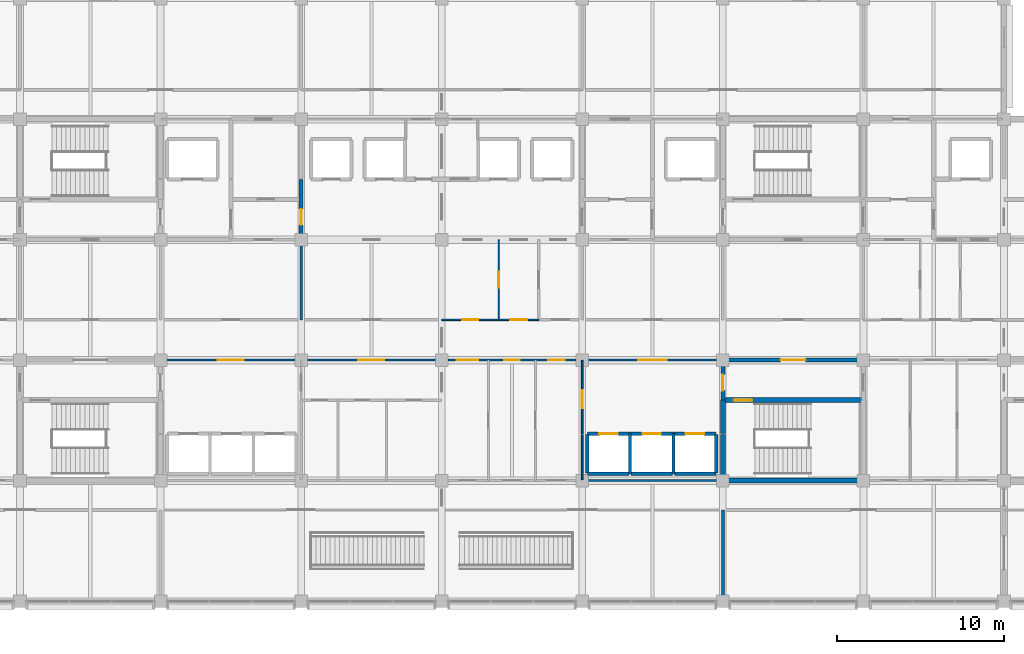
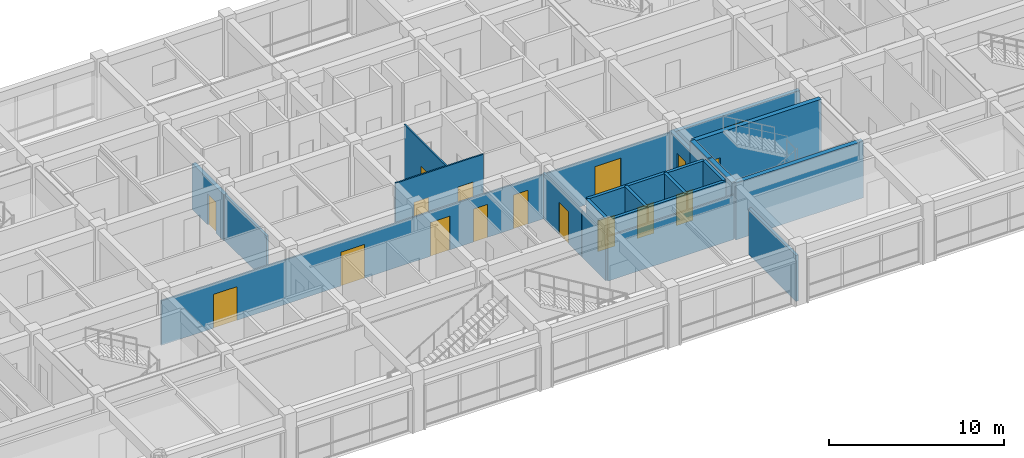
# One storey, part 18 of 27: 23 walls, 17 doors, 17 openings.
"""IFC4 building model written with IfcOpenShell, lengths in metres."""

import ifcopenshell
import ifcopenshell.guid

model = None  # the IFC model being written
_history = None  # IfcOwnerHistory: only IFC2X3 demands one
_inside = {}  # id of a spatial element -> (the spatial element, [elements in it])
_under = {}  # id of a project, library or spatial element -> (it, [spatial elements below it])
_declared = {}  # id of a project -> (the project, [libraries it declares])
_typed = {}  # id of a type object -> (the type object, [elements of that type])
_made_of = {}  # id of a material, layer set ... -> (it, [elements and type objects made of it])


def new_model(schema):
    """Start an empty IFC model of exactly this schema.

    Asked for "IFC4X3", IfcOpenShell would pick the latest addendum, in which some entities
    have other attributes; the version numbers below select the first issue.
    IFC2X3 requires an IfcOwnerHistory on every rooted entity: one is made here for all.
    """
    global model, _history
    if schema == "IFC4X3":
        model = ifcopenshell.file(schema_version=(4, 3, 0, 0))
    else:
        model = ifcopenshell.file(schema=schema)
    _inside.clear()
    _under.clear()
    _declared.clear()
    _typed.clear()
    _made_of.clear()
    _history = None
    if model.schema == "IFC2X3":
        org = make("IfcOrganization", Name="unknown")
        user = make(
            "IfcPersonAndOrganization",
            ThePerson=make("IfcPerson", FamilyName="unknown"),
            TheOrganization=org,
        )
        app = make(
            "IfcApplication",
            ApplicationDeveloper=org,
            Version="unknown",
            ApplicationFullName="unknown",
            ApplicationIdentifier="unknown",
        )
        _history = make(
            "IfcOwnerHistory",
            OwningUser=user,
            OwningApplication=app,
            ChangeAction="ADDED",
            CreationDate=0,
        )
    return model


def make(cls, **values):
    """One entity of the class cls with the attributes given. An attribute that is None is left unset."""
    return model.create_entity(
        cls, **{name: value for name, value in values.items() if value is not None}
    )


def rooted(cls, **values):
    """An entity with a GlobalId (a new one), such as an element, a storey or a relation."""
    return make(cls, GlobalId=ifcopenshell.guid.new(), OwnerHistory=_history, **values)


def si_unit(unit_type, name, prefix=None):
    """IfcSIUnit, for example si_unit("LENGTHUNIT", "METRE", prefix="MILLI")."""
    return make("IfcSIUnit", UnitType=unit_type, Prefix=prefix, Name=name)


def assignment(units):
    """IfcUnitAssignment: the units of a project."""
    return None if units is None else make("IfcUnitAssignment", Units=units)


def point(xyz):
    """IfcCartesianPoint."""
    return None if xyz is None else make("IfcCartesianPoint", Coordinates=xyz)


def direction(xyz):
    """IfcDirection."""
    return None if xyz is None else make("IfcDirection", DirectionRatios=xyz)


def frame(location, z_axis=None, x_axis=None):
    """IfcAxis2Placement3D, a coordinate frame: its origin and axes. An axis left out is left unset."""
    return make(
        "IfcAxis2Placement3D",
        Location=point(location),
        Axis=direction(z_axis),
        RefDirection=direction(x_axis),
    )


def frame_2d(location, x_axis=None):
    """IfcAxis2Placement2D, a coordinate frame in the plane: its origin and x axis."""
    return make(
        "IfcAxis2Placement2D", Location=point(location), RefDirection=direction(x_axis)
    )


def origin():
    """The frame at (0, 0, 0) with its axes left unset."""
    return frame((0.0, 0.0, 0.0))


def place(relative_to, where):
    """IfcLocalPlacement: puts the frame where relative to a parent placement (None: the world)."""
    return make(
        "IfcLocalPlacement", PlacementRelTo=relative_to, RelativePlacement=where
    )


def context(
    kind, dimensions, precision=None, world=None, true_north=None, identifier=None
):
    """IfcGeometricRepresentationContext, for example the 3D "Model" context."""
    return make(
        "IfcGeometricRepresentationContext",
        ContextIdentifier=identifier,
        ContextType=kind,
        CoordinateSpaceDimension=dimensions,
        Precision=precision,
        WorldCoordinateSystem=world,
        TrueNorth=true_north,
    )


def subcontext(parent, identifier, kind, view, scale=None):
    """IfcGeometricRepresentationSubContext, for example "Body" below "Model"."""
    return make(
        "IfcGeometricRepresentationSubContext",
        ContextIdentifier=identifier,
        ContextType=kind,
        ParentContext=parent,
        TargetScale=scale,
        TargetView=view,
    )


def project(units=None, contexts=None):
    """IfcProject with its units and contexts."""
    return rooted(
        "IfcProject",
        Name="project",
        RepresentationContexts=contexts,
        UnitsInContext=assignment(units),
    )


def spatial(cls, under=None, at=None, **own):
    """A site, building, storey or space (cls), placed at a placement, below another one or the project."""
    s = rooted(cls, ObjectPlacement=at, **own)
    if under is not None:
        _under.setdefault(under.id(), (under, []))[1].append(s)
    return s


def profile(cls, at=None, kind="AREA", **sizes):
    """A parametric profile (cls). Its sizes go by their IFC names, for example OverallWidth=200.0."""
    return make(cls, ProfileType=kind, Position=at, **sizes)


def rectangle(**sizes):
    """IfcRectangleProfileDef."""
    return profile("IfcRectangleProfileDef", **sizes)


def extrude(swept, where, along, depth):
    """IfcExtrudedAreaSolid: the profile swept, set in the frame where, extruded along a direction by depth."""
    return make(
        "IfcExtrudedAreaSolid",
        SweptArea=swept,
        Position=where,
        ExtrudedDirection=direction(along),
        Depth=depth,
    )


def shape(context_of_items, identifier, shape_type, items):
    """IfcShapeRepresentation: the items that make up one representation, for example the "Body"."""
    return make(
        "IfcShapeRepresentation",
        ContextOfItems=context_of_items,
        RepresentationIdentifier=identifier,
        RepresentationType=shape_type,
        Items=items,
    )


def material(Name=None, Category=None):
    """IfcMaterial."""
    return make("IfcMaterial", Name=Name, Category=Category)


def layer(
    of_material, thickness, ventilated=None, Name=None, Category=None, Priority=None
):
    """IfcMaterialLayer: one layer of a wall or slab, of a material (None: an air gap)."""
    return make(
        "IfcMaterialLayer",
        Material=of_material,
        LayerThickness=thickness,
        IsVentilated=ventilated,
        Name=Name,
        Category=Category,
        Priority=Priority,
    )


def layer_set(layers, Name=None):
    """IfcMaterialLayerSet."""
    return make("IfcMaterialLayerSet", MaterialLayers=layers, LayerSetName=Name)


def made_of(thing, what):
    """Note that an element or type object is made of a material, layer set ...; save() writes the relation."""
    if what is not None:
        _made_of.setdefault(what.id(), (what, []))[1].append(thing)
    return thing


def type_object(cls, material=None, **own):
    """A type object (cls), such as IfcWallType, which elements share."""
    return made_of(rooted(cls, **own), material)


def element(
    cls,
    number,
    at=None,
    inside=None,
    cuts=None,
    type_object=None,
    material=None,
    context=None,
    identifier="Body",
    shape_type=None,
    held_by="IfcProductDefinitionShape",
    body=None,
    shapes=None,
    **own,
):
    """One element of the class cls, such as IfcWall. Its Tag is "e" and its number.

    at: its placement. inside: the storey or other place that contains it. cuts: it is an
    opening in that element (IfcRelVoidsElement). A single representation is given by context,
    identifier, shape_type and body (its items); several are given by shapes. held_by: the class
    of the entity that holds the representations. save() writes the other relations.
    """
    e = rooted(cls, Tag="e%d" % number, ObjectPlacement=at, **own)
    if body is not None:
        shapes = [shape(context, identifier, shape_type, body)]
    if shapes is not None:
        e.Representation = make(held_by, Representations=shapes)
    if inside is not None:
        _inside.setdefault(inside.id(), (inside, []))[1].append(e)
    if cuts is not None:
        rooted(
            "IfcRelVoidsElement", RelatingBuildingElement=cuts, RelatedOpeningElement=e
        )
    if type_object is not None:
        _typed.setdefault(type_object.id(), (type_object, []))[1].append(e)
    return made_of(e, material)


def fill(opening, filler):
    """IfcRelFillsElement: the door or window that sits in an opening."""
    return rooted(
        "IfcRelFillsElement",
        RelatingOpeningElement=opening,
        RelatedBuildingElement=filler,
    )


def aggregate(whole, parts):
    """IfcRelAggregates: a whole, such as a stair, and the parts it consists of."""
    return rooted("IfcRelAggregates", RelatingObject=whole, RelatedObjects=parts)


def save(model, path):
    """Write the relations noted so far, then the file.

    IfcRelAggregates (storeys below a building ...), IfcRelContainedInSpatialStructure (elements
    in a storey), IfcRelDefinesByType, IfcRelAssociatesMaterial and IfcRelDeclares: one each for
    every whole, place, type object, material and project.
    """
    for whole, parts in _under.values():
        aggregate(whole, parts)
    for where, things in _inside.values():
        rooted(
            "IfcRelContainedInSpatialStructure",
            RelatedElements=things,
            RelatingStructure=where,
        )
    for kind, things in _typed.values():
        rooted("IfcRelDefinesByType", RelatedObjects=things, RelatingType=kind)
    for what, things in _made_of.values():
        rooted("IfcRelAssociatesMaterial", RelatedObjects=things, RelatingMaterial=what)
    for by, libraries in _declared.values():
        rooted("IfcRelDeclares", RelatingContext=by, RelatedDefinitions=libraries)
    model.write(path)


model = new_model("IFC4")

# Units and contexts
model_context = context("Model", 3, precision=1e-05, world=origin(), true_north=direction((0.0, 1.0)))
body_context = subcontext(model_context, "Body", "Model", "MODEL_VIEW")
ifc_project = project(units=[si_unit("LENGTHUNIT", "METRE"), si_unit("AREAUNIT", "SQUARE_METRE"), si_unit("VOLUMEUNIT", "CUBIC_METRE"), si_unit("PLANEANGLEUNIT", "RADIAN"), si_unit("MASSUNIT", "GRAM", prefix="KILO")], contexts=[model_context])

# Site, building, storey
site_placement = place(None, origin())
site = spatial("IfcSite", under=ifc_project, at=site_placement, CompositionType="ELEMENT")
building_placement = place(site_placement, origin())
building = spatial("IfcBuilding", under=site, at=building_placement, Name="Chengyuan Square Courthouse", CompositionType="ELEMENT")
storey_placement = place(building_placement, frame((0.0, 0.0, 39.300048828125)))
storey = spatial("IfcBuildingStorey", under=building, at=storey_placement, Name="L09", CompositionType="ELEMENT", Elevation=39.300048828125)

# Wall, opening, door
ifc_material_1 = material(Name="Concrete C40", Category="concrete")
ifc_layer_1 = layer(ifc_material_1, 0.25)
ifc_layer_set_1 = layer_set([ifc_layer_1], Name="Concrete C40")
wall_type_1 = type_object("IfcWallType", Name="WL-FW1", PredefinedType="STANDARD", material=ifc_layer_set_1)
wall_1_placement = place(storey_placement, frame((100.800048828125, 93.60009765625, 0.0), z_axis=(0.0, 0.0, 1.0), x_axis=(1.0, 0.0, 0.0)))
wall_1 = element("IfcWall", 1, at=wall_1_placement, inside=storey, type_object=wall_type_1, Name="Interior Wall WL-L09-I3116", PredefinedType="STANDARD", context=body_context, shape_type="SweptSolid", body=[
    extrude(rectangle(XDim=8.39990234375, YDim=0.25, at=frame_2d((4.199951171875, 0.0))), origin(), (0.0, 0.0, 1.0), 3.099853515625),
])
opening_1_placement = place(wall_1_placement, frame((3.449951171875, 0.0, 0.0)))
opening_1 = element("IfcOpeningElement", 2, at=opening_1_placement, cuts=wall_1, Name="Opening DR-2649", PredefinedType="OPENING", context=body_context, shape_type="SweptSolid", body=[
    extrude(rectangle(XDim=1.5, YDim=2.25, at=frame_2d((0.75, 1.125))), frame((0.0, 0.136962890625, 0.0), z_axis=(0.0, -1.0, 0.0), x_axis=(1.0, 0.0, 0.0)), (0.0, 0.0, 1.0), 0.27392578125),
])
ifc_material_2 = material(Name="Steel Q235B Glazed Fire Door", Category="steel")
door_type_1 = type_object("IfcDoorType", Name="DT-19", OperationType="DOUBLE_DOOR_SINGLE_SWING", PredefinedType="DOOR", material=ifc_material_2)
door_1_placement = place(opening_1_placement, frame((1.5, 0.0, 0.0), z_axis=(0.0, 0.0, 1.0), x_axis=(-1.0, 0.0, 0.0)))
door_1 = element("IfcDoor", 3, at=door_1_placement, inside=storey, type_object=door_type_1, Name="Interior Door DR-2649", OperationType="DOUBLE_DOOR_SINGLE_SWING", OverallHeight=2.25, OverallWidth=1.5, PredefinedType="DOOR", context=body_context, shape_type="SweptSolid", body=[
    extrude(rectangle(XDim=1.5, YDim=2.25, at=frame_2d((0.75, 1.125))), frame((0.0, 0.02490234375, 0.0), z_axis=(0.0, -1.0, 0.0), x_axis=(1.0, 0.0, 0.0)), (0.0, 0.0, 1.0), 0.050048828125),
])
fill(opening_1, door_1)

wall_2_placement = place(storey_placement, frame((75.60009765625, 100.800048828125, 0.0), z_axis=(0.0, 0.0, 1.0), x_axis=(0.0, 1.0, 0.0)))
wall_2 = element("IfcWall", 4, at=wall_2_placement, inside=storey, type_object=wall_type_1, Name="Interior Wall WL-L09-I3231", PredefinedType="STANDARD", context=body_context, shape_type="SweptSolid", body=[
    extrude(rectangle(XDim=3.599853515625, YDim=0.25, at=frame_2d((1.7998046875, 0.0))), origin(), (0.0, 0.0, 1.0), 3.199951171875),
])
opening_2_placement = place(wall_2_placement, frame((0.87255859375, 0.0, 0.0)))
opening_2 = element("IfcOpeningElement", 5, at=opening_2_placement, cuts=wall_2, Name="Opening DR-2657", PredefinedType="OPENING", context=body_context, shape_type="SweptSolid", body=[
    extrude(rectangle(XDim=0.949951171875, YDim=2.14990234375, at=frame_2d((0.47509765625, 1.074951171875))), frame((0.0, 0.136962890625, 0.0), z_axis=(0.0, -1.0, 0.0), x_axis=(1.0, 0.0, 0.0)), (0.0, 0.0, 1.0), 0.27392578125),
])
ifc_material_3 = material(Name="Steel Q235B Fire Door", Category="steel")
door_type_2 = type_object("IfcDoorType", Name="DT-12", OperationType="NOTDEFINED", PredefinedType="DOOR", material=ifc_material_3)
door_2_placement = place(opening_2_placement, origin())
door_2 = element("IfcDoor", 6, at=door_2_placement, inside=storey, type_object=door_type_2, Name="Interior Door DR-2657", OperationType="SINGLE_SWING_RIGHT", OverallHeight=2.14990234375, OverallWidth=0.949951171875, PredefinedType="DOOR", context=body_context, shape_type="SweptSolid", body=[
    extrude(rectangle(XDim=0.949951171875, YDim=2.14990234375, at=frame_2d((0.47509765625, 1.074951171875))), frame((0.0, 0.02490234375, 0.0), z_axis=(0.0, -1.0, 0.0), x_axis=(1.0, 0.0, 0.0)), (0.0, 0.0, 1.0), 0.050048828125),
])
fill(opening_2, door_2)

wall_3_placement = place(storey_placement, frame((100.800048828125, 91.199951171875, 0.0), z_axis=(0.0, 0.0, 1.0), x_axis=(0.0, 1.0, 0.0)))
wall_3 = element("IfcWall", 7, at=wall_3_placement, inside=storey, type_object=wall_type_1, Name="Interior Wall WL-L09-I3268", PredefinedType="STANDARD", context=body_context, shape_type="SweptSolid", body=[
    extrude(rectangle(XDim=2.400146484375, YDim=0.25, at=frame_2d((1.2001953125, 0.0))), origin(), (0.0, 0.0, 1.0), 3.199951171875),
])
opening_3_placement = place(wall_3_placement, frame((0.577392578125, 0.0, 0.0)))
opening_3 = element("IfcOpeningElement", 8, at=opening_3_placement, cuts=wall_3, Name="Opening DR-2648", PredefinedType="OPENING", context=body_context, shape_type="SweptSolid", body=[
    extrude(rectangle(XDim=0.949951171875, YDim=2.14990234375, at=frame_2d((0.47509765625, 1.074951171875))), frame((0.0, 0.136962890625, 0.0), z_axis=(0.0, -1.0, 0.0), x_axis=(1.0, 0.0, 0.0)), (0.0, 0.0, 1.0), 0.27392578125),
])
door_3_placement = place(opening_3_placement, origin())
door_3 = element("IfcDoor", 9, at=door_3_placement, inside=storey, type_object=door_type_2, Name="Interior Door DR-2648", OperationType="SINGLE_SWING_RIGHT", OverallHeight=2.14990234375, OverallWidth=0.949951171875, PredefinedType="DOOR", context=body_context, shape_type="SweptSolid", body=[
    extrude(rectangle(XDim=0.949951171875, YDim=2.14990234375, at=frame_2d((0.47509765625, 1.074951171875))), frame((0.0, 0.02490234375, 0.0), z_axis=(0.0, -1.0, 0.0), x_axis=(1.0, 0.0, 0.0)), (0.0, 0.0, 1.0), 0.050048828125),
])
fill(opening_3, door_3)

# Walls
ifc_material_4 = material(Name="Double-Stud Acoustic Gypsum Courtroom Partition")
ifc_layer_2 = layer(ifc_material_4, 0.179931640625)
ifc_layer_set_2 = layer_set([ifc_layer_2], Name="Double-Stud Acoustic Gypsum Courtroom Partition")
wall_type_2 = type_object("IfcWallType", Name="WL-PT1", PredefinedType="STANDARD", material=ifc_layer_set_2)
wall_4_placement = place(storey_placement, frame((100.800048828125, 79.239990234375, 0.0), z_axis=(0.0, 0.0, 1.0), x_axis=(0.0, 1.0, 0.0)))
element("IfcWall", 10, at=wall_4_placement, inside=storey, type_object=wall_type_2, Name="Interior Wall WL-L09-I3265", PredefinedType="STANDARD", context=body_context, shape_type="SweptSolid", body=[
    extrude(rectangle(XDim=5.409912109375, YDim=0.179931640625, at=frame_2d((2.705078125, 0.0))), origin(), (0.0, 0.0, 1.0), 3.199951171875),
])
ifc_material_5 = material(Name="Deliberation Room Sound-Insulated Partition")
ifc_layer_3 = layer(ifc_material_5, 0.14990234375)
ifc_layer_set_3 = layer_set([ifc_layer_3], Name="Deliberation Room Sound-Insulated Partition")
wall_type_3 = type_object("IfcWallType", Name="WL-PT3", PredefinedType="STANDARD", material=ifc_layer_set_3)
wall_5_placement = place(storey_placement, frame((75.60009765625, 96.0, 0.0), z_axis=(0.0, 0.0, 1.0), x_axis=(0.0, 1.0, 0.0)))
element("IfcWall", 11, at=wall_5_placement, inside=storey, type_object=wall_type_3, Name="Interior Wall WL-L09-I3230", PredefinedType="STANDARD", context=body_context, shape_type="SweptSolid", body=[
    extrude(rectangle(XDim=4.800048828125, YDim=0.14990234375, at=frame_2d((2.39990234375, 0.0))), origin(), (0.0, 0.0, 1.0), 3.199951171875),
])
ifc_material_6 = material(Name="Gypsum Plasterboard Acoustic Stud Partition")
ifc_layer_4 = layer(ifc_material_6, 0.10009765625)
ifc_layer_set_4 = layer_set([ifc_layer_4], Name="Gypsum Plasterboard Acoustic Stud Partition")
wall_type_4 = type_object("IfcWallType", Name="WL-PT6", PredefinedType="STANDARD", material=ifc_layer_set_4)
wall_6_placement = place(storey_placement, frame((92.449951171875, 86.39990234375, 0.0), z_axis=(0.0, 0.0, 1.0), x_axis=(1.0, 0.0, 0.0)))
element("IfcWall", 12, at=wall_6_placement, inside=storey, type_object=wall_type_4, Name="Interior Wall WL-L09-I3095", PredefinedType="STANDARD", context=body_context, shape_type="SweptSolid", body=[
    extrude(rectangle(XDim=8.300048828125, YDim=0.10009765625, at=frame_2d((4.14990234375, 0.0))), origin(), (0.0, 0.0, 1.0), 3.099853515625),
])

# Wall, openings, doors
wall_7_placement = place(storey_placement, frame((67.199951171875, 93.60009765625, 0.0), z_axis=(0.0, 0.0, 1.0), x_axis=(1.0, 0.0, 0.0)))
wall_7 = element("IfcWall", 13, at=wall_7_placement, inside=storey, type_object=wall_type_4, Name="Interior Wall WL-L09-I3115", PredefinedType="STANDARD", context=body_context, shape_type="SweptSolid", body=[
    extrude(rectangle(XDim=33.60009765625, YDim=0.10009765625, at=frame_2d((16.800048828125, 0.0))), origin(), (0.0, 0.0, 1.0), 3.099853515625),
])
opening_4_placement = place(wall_7_placement, frame((3.425048828125, 0.0, 0.0)))
opening_4 = element("IfcOpeningElement", 14, at=opening_4_placement, cuts=wall_7, Name="Opening DR-2681", PredefinedType="OPENING", context=body_context, shape_type="SweptSolid", body=[
    extrude(rectangle(XDim=1.550048828125, YDim=2.35009765625, at=frame_2d((0.77490234375, 1.175048828125))), frame((0.0, 0.06201171875, 0.0), z_axis=(0.0, -1.0, 0.0), x_axis=(1.0, 0.0, 0.0)), (0.0, 0.0, 1.0), 0.1240234375),
])
opening_5_placement = place(wall_7_placement, frame((28.550048828125, 0.0, 0.0)))
opening_5 = element("IfcOpeningElement", 15, at=opening_5_placement, cuts=wall_7, Name="Opening DR-2682", PredefinedType="OPENING", context=body_context, shape_type="SweptSolid", body=[
    extrude(rectangle(XDim=1.699951171875, YDim=2.449951171875, at=frame_2d((0.85009765625, 1.22509765625))), frame((0.0, 0.06201171875, 0.0), z_axis=(0.0, -1.0, 0.0), x_axis=(1.0, 0.0, 0.0)), (0.0, 0.0, 1.0), 0.1240234375),
])
opening_6_placement = place(wall_7_placement, frame((11.824951171875, 0.0, 0.0)))
opening_6 = element("IfcOpeningElement", 16, at=opening_6_placement, cuts=wall_7, Name="Opening DR-2699", PredefinedType="OPENING", context=body_context, shape_type="SweptSolid", body=[
    extrude(rectangle(XDim=1.550048828125, YDim=2.35009765625, at=frame_2d((0.77490234375, 1.175048828125))), frame((0.0, 0.06201171875, 0.0), z_axis=(0.0, -1.0, 0.0), x_axis=(1.0, 0.0, 0.0)), (0.0, 0.0, 1.0), 0.1240234375),
])
opening_7_placement = place(wall_7_placement, frame((17.70751953125, 0.0, 0.0)))
opening_7 = element("IfcOpeningElement", 17, at=opening_7_placement, cuts=wall_7, Name="Opening DR-2722", PredefinedType="OPENING", context=body_context, shape_type="SweptSolid", body=[
    extrude(rectangle(XDim=1.280029296875, YDim=2.35009765625, at=frame_2d((0.64013671875, 1.175048828125))), frame((0.0, 0.06201171875, 0.0), z_axis=(0.0, -1.0, 0.0), x_axis=(1.0, 0.0, 0.0)), (0.0, 0.0, 1.0), 0.1240234375),
])
opening_8_placement = place(wall_7_placement, frame((20.530029296875, 0.0, 0.0)))
opening_8 = element("IfcOpeningElement", 18, at=opening_8_placement, cuts=wall_7, Name="Opening DR-2723", PredefinedType="OPENING", context=body_context, shape_type="SweptSolid", body=[
    extrude(rectangle(XDim=0.93994140625, YDim=2.300048828125, at=frame_2d((0.469970703125, 1.14990234375))), frame((0.0, 0.06201171875, 0.0), z_axis=(0.0, -1.0, 0.0), x_axis=(1.0, 0.0, 0.0)), (0.0, 0.0, 1.0), 0.1240234375),
])
opening_9_placement = place(wall_7_placement, frame((23.16259765625, 0.0, 0.0)))
opening_9 = element("IfcOpeningElement", 19, at=opening_9_placement, cuts=wall_7, Name="Opening DR-2724", PredefinedType="OPENING", context=body_context, shape_type="SweptSolid", body=[
    extrude(rectangle(XDim=0.97998046875, YDim=2.35009765625, at=frame_2d((0.489990234375, 1.175048828125))), frame((0.0, 0.06201171875, 0.0), z_axis=(0.0, -1.0, 0.0), x_axis=(1.0, 0.0, 0.0)), (0.0, 0.0, 1.0), 0.1240234375),
])
ifc_material_7 = material(Name="Acoustic Larch Veneer Double Door")
door_type_3 = type_object("IfcDoorType", Name="DT-23", OperationType="DOUBLE_DOOR_SINGLE_SWING", PredefinedType="DOOR", material=ifc_material_7)
door_4_placement = place(opening_4_placement, frame((1.550048828125, 0.0, 0.0), z_axis=(0.0, 0.0, 1.0), x_axis=(-1.0, 0.0, 0.0)))
door_4 = element("IfcDoor", 20, at=door_4_placement, inside=storey, type_object=door_type_3, Name="Interior Door DR-2681", OperationType="DOUBLE_DOOR_SINGLE_SWING", OverallHeight=2.35009765625, OverallWidth=1.550048828125, PredefinedType="DOOR", context=body_context, shape_type="SweptSolid", body=[
    extrude(rectangle(XDim=1.550048828125, YDim=2.35009765625, at=frame_2d((0.77490234375, 1.175048828125))), frame((0.0, 0.02490234375, 0.0), z_axis=(0.0, -1.0, 0.0), x_axis=(1.0, 0.0, 0.0)), (0.0, 0.0, 1.0), 0.050048828125),
])
fill(opening_4, door_4)
door_5_placement = place(opening_6_placement, frame((1.550048828125, 0.0, 0.0), z_axis=(0.0, 0.0, 1.0), x_axis=(-1.0, 0.0, 0.0)))
door_5 = element("IfcDoor", 21, at=door_5_placement, inside=storey, type_object=door_type_3, Name="Interior Door DR-2699", OperationType="DOUBLE_DOOR_SINGLE_SWING", OverallHeight=2.35009765625, OverallWidth=1.550048828125, PredefinedType="DOOR", context=body_context, shape_type="SweptSolid", body=[
    extrude(rectangle(XDim=1.550048828125, YDim=2.35009765625, at=frame_2d((0.77490234375, 1.175048828125))), frame((0.0, 0.02490234375, 0.0), z_axis=(0.0, -1.0, 0.0), x_axis=(1.0, 0.0, 0.0)), (0.0, 0.0, 1.0), 0.050048828125),
])
fill(opening_6, door_5)
door_type_4 = type_object("IfcDoorType", Name="DT-24", OperationType="DOUBLE_DOOR_SINGLE_SWING", PredefinedType="DOOR", material=ifc_material_7)
door_6_placement = place(opening_5_placement, frame((1.699951171875, 0.0, 0.0), z_axis=(0.0, 0.0, 1.0), x_axis=(-1.0, 0.0, 0.0)))
door_6 = element("IfcDoor", 22, at=door_6_placement, inside=storey, type_object=door_type_4, Name="Interior Door DR-2682", OperationType="DOUBLE_DOOR_SINGLE_SWING", OverallHeight=2.449951171875, OverallWidth=1.699951171875, PredefinedType="DOOR", context=body_context, shape_type="SweptSolid", body=[
    extrude(rectangle(XDim=1.699951171875, YDim=2.449951171875, at=frame_2d((0.85009765625, 1.22509765625))), frame((0.0, 0.02490234375, 0.0), z_axis=(0.0, -1.0, 0.0), x_axis=(1.0, 0.0, 0.0)), (0.0, 0.0, 1.0), 0.050048828125),
])
fill(opening_5, door_6)
ifc_material_8 = material(Name="Acoustic Solid-Core Timber Door", Category="wood")
door_type_5 = type_object("IfcDoorType", Name="DT-38", OperationType="NOTDEFINED", PredefinedType="DOOR", material=ifc_material_8)
door_7_placement = place(opening_7_placement, origin())
door_7 = element("IfcDoor", 23, at=door_7_placement, inside=storey, type_object=door_type_5, Name="Interior Door DR-2722", OperationType="SINGLE_SWING_LEFT", OverallHeight=2.35009765625, OverallWidth=1.280029296875, PredefinedType="DOOR", context=body_context, shape_type="SweptSolid", body=[
    extrude(rectangle(XDim=1.280029296875, YDim=2.35009765625, at=frame_2d((0.64013671875, 1.175048828125))), frame((0.0, 0.02490234375, 0.0), z_axis=(0.0, -1.0, 0.0), x_axis=(1.0, 0.0, 0.0)), (0.0, 0.0, 1.0), 0.050048828125),
])
fill(opening_7, door_7)
door_type_6 = type_object("IfcDoorType", Name="DT-39", OperationType="NOTDEFINED", PredefinedType="DOOR", material=ifc_material_8)
door_8_placement = place(opening_8_placement, origin())
door_8 = element("IfcDoor", 24, at=door_8_placement, inside=storey, type_object=door_type_6, Name="Interior Door DR-2723", OperationType="SINGLE_SWING_RIGHT", OverallHeight=2.300048828125, OverallWidth=0.93994140625, PredefinedType="DOOR", context=body_context, shape_type="SweptSolid", body=[
    extrude(rectangle(XDim=0.93994140625, YDim=2.300048828125, at=frame_2d((0.469970703125, 1.14990234375))), frame((0.0, 0.02490234375, 0.0), z_axis=(0.0, -1.0, 0.0), x_axis=(1.0, 0.0, 0.0)), (0.0, 0.0, 1.0), 0.050048828125),
])
fill(opening_8, door_8)
door_type_7 = type_object("IfcDoorType", Name="DT-40", OperationType="NOTDEFINED", PredefinedType="DOOR", material=ifc_material_8)
door_9_placement = place(opening_9_placement, origin())
door_9 = element("IfcDoor", 25, at=door_9_placement, inside=storey, type_object=door_type_7, Name="Interior Door DR-2724", OperationType="SINGLE_SWING_LEFT", OverallHeight=2.35009765625, OverallWidth=0.97998046875, PredefinedType="DOOR", context=body_context, shape_type="SweptSolid", body=[
    extrude(rectangle(XDim=0.97998046875, YDim=2.35009765625, at=frame_2d((0.489990234375, 1.175048828125))), frame((0.0, 0.02490234375, 0.0), z_axis=(0.0, -1.0, 0.0), x_axis=(1.0, 0.0, 0.0)), (0.0, 0.0, 1.0), 0.050048828125),
])
fill(opening_9, door_9)

wall_8_placement = place(storey_placement, frame((84.0, 96.0, 0.0), z_axis=(0.0, 0.0, 1.0), x_axis=(1.0, 0.0, 0.0)))
wall_8 = element("IfcWall", 26, at=wall_8_placement, inside=storey, type_object=wall_type_4, Name="Interior Wall WL-L09-I3122", PredefinedType="STANDARD", context=body_context, shape_type="SweptSolid", body=[
    extrude(rectangle(XDim=5.800048828125, YDim=0.10009765625, at=frame_2d((2.89990234375, 0.0))), origin(), (0.0, 0.0, 1.0), 3.949951171875),
])
opening_10_placement = place(wall_8_placement, frame((1.219970703125, 0.0, 0.0)))
opening_10 = element("IfcOpeningElement", 27, at=opening_10_placement, cuts=wall_8, Name="Opening DR-2714", PredefinedType="OPENING", context=body_context, shape_type="SweptSolid", body=[
    extrude(rectangle(XDim=0.9599609375, YDim=2.199951171875, at=frame_2d((0.47998046875, 1.10009765625))), frame((0.0, 0.06201171875, 0.0), z_axis=(0.0, -1.0, 0.0), x_axis=(1.0, 0.0, 0.0)), (0.0, 0.0, 1.0), 0.1240234375),
])
opening_11_placement = place(wall_8_placement, frame((4.10009765625, 0.0, 0.0)))
opening_11 = element("IfcOpeningElement", 28, at=opening_11_placement, cuts=wall_8, Name="Opening DR-2715", PredefinedType="OPENING", context=body_context, shape_type="SweptSolid", body=[
    extrude(rectangle(XDim=1.0, YDim=2.25, at=frame_2d((0.5, 1.125))), frame((0.0, 0.06201171875, 0.0), z_axis=(0.0, -1.0, 0.0), x_axis=(1.0, 0.0, 0.0)), (0.0, 0.0, 1.0), 0.1240234375),
])
door_type_8 = type_object("IfcDoorType", Name="DT-30", OperationType="NOTDEFINED", PredefinedType="DOOR", material=ifc_material_8)
door_10_placement = place(opening_10_placement, origin())
door_10 = element("IfcDoor", 29, at=door_10_placement, inside=storey, type_object=door_type_8, Name="Interior Door DR-2714", OperationType="SINGLE_SWING_LEFT", OverallHeight=2.199951171875, OverallWidth=0.9599609375, PredefinedType="DOOR", context=body_context, shape_type="SweptSolid", body=[
    extrude(rectangle(XDim=0.9599609375, YDim=2.199951171875, at=frame_2d((0.47998046875, 1.10009765625))), frame((0.0, 0.02490234375, 0.0), z_axis=(0.0, -1.0, 0.0), x_axis=(1.0, 0.0, 0.0)), (0.0, 0.0, 1.0), 0.050048828125),
])
fill(opening_10, door_10)
door_type_9 = type_object("IfcDoorType", Name="DT-31", OperationType="NOTDEFINED", PredefinedType="DOOR", material=ifc_material_8)
door_11_placement = place(opening_11_placement, origin())
door_11 = element("IfcDoor", 30, at=door_11_placement, inside=storey, type_object=door_type_9, Name="Interior Door DR-2715", OperationType="SINGLE_SWING_RIGHT", OverallHeight=2.25, OverallWidth=1.0, PredefinedType="DOOR", context=body_context, shape_type="SweptSolid", body=[
    extrude(rectangle(XDim=1.0, YDim=2.25, at=frame_2d((0.5, 1.125))), frame((0.0, 0.02490234375, 0.0), z_axis=(0.0, -1.0, 0.0), x_axis=(1.0, 0.0, 0.0)), (0.0, 0.0, 1.0), 0.050048828125),
])
fill(opening_11, door_11)

# Wall, opening, door
wall_9_placement = place(storey_placement, frame((87.39990234375, 96.0, 0.0), z_axis=(0.0, 0.0, 1.0), x_axis=(0.0, 1.0, 0.0)))
wall_9 = element("IfcWall", 31, at=wall_9_placement, inside=storey, type_object=wall_type_4, Name="Interior Wall WL-L09-I3245", PredefinedType="STANDARD", context=body_context, shape_type="SweptSolid", body=[
    extrude(rectangle(XDim=4.800048828125, YDim=0.10009765625, at=frame_2d((2.39990234375, 0.0))), origin(), (0.0, 0.0, 1.0), 3.949951171875),
])
opening_12_placement = place(wall_9_placement, frame((1.919921875, 0.0, 0.0)))
opening_12 = element("IfcOpeningElement", 32, at=opening_12_placement, cuts=wall_9, Name="Opening DR-2731", PredefinedType="OPENING", context=body_context, shape_type="SweptSolid", body=[
    extrude(rectangle(XDim=0.9599609375, YDim=2.199951171875, at=frame_2d((0.47998046875, 1.10009765625))), frame((0.0, 0.06201171875, 0.0), z_axis=(0.0, -1.0, 0.0), x_axis=(1.0, 0.0, 0.0)), (0.0, 0.0, 1.0), 0.1240234375),
])
door_12_placement = place(opening_12_placement, origin())
door_12 = element("IfcDoor", 33, at=door_12_placement, inside=storey, type_object=door_type_8, Name="Interior Door DR-2731", OperationType="SINGLE_SWING_RIGHT", OverallHeight=2.199951171875, OverallWidth=0.9599609375, PredefinedType="DOOR", context=body_context, shape_type="SweptSolid", body=[
    extrude(rectangle(XDim=0.9599609375, YDim=2.199951171875, at=frame_2d((0.47998046875, 1.10009765625))), frame((0.0, 0.02490234375, 0.0), z_axis=(0.0, -1.0, 0.0), x_axis=(1.0, 0.0, 0.0)), (0.0, 0.0, 1.0), 0.050048828125),
])
fill(opening_12, door_12)

# Wall
wall_10_placement = place(storey_placement, frame((92.39990234375, 86.449951171875, 0.0), z_axis=(0.0, 0.0, 1.0), x_axis=(0.0, 1.0, 0.0)))
element("IfcWall", 34, at=wall_10_placement, inside=storey, type_object=wall_type_4, Name="Interior Wall WL-L09-I3251", PredefinedType="STANDARD", context=body_context, shape_type="SweptSolid", body=[
    extrude(rectangle(XDim=2.699951171875, YDim=0.10009765625, at=frame_2d((1.35009765625, 0.0))), origin(), (0.0, 0.0, 1.0), 3.199951171875),
])

# Wall, opening, door
wall_11_placement = place(storey_placement, frame((92.39990234375, 89.199951171875, 0.0), z_axis=(0.0, 0.0, 1.0), x_axis=(0.0, 1.0, 0.0)))
wall_11 = element("IfcWall", 35, at=wall_11_placement, inside=storey, type_object=wall_type_4, Name="Interior Wall WL-L09-I3252", PredefinedType="STANDARD", context=body_context, shape_type="SweptSolid", body=[
    extrude(rectangle(XDim=4.400146484375, YDim=0.10009765625, at=frame_2d((2.2001953125, 0.0))), origin(), (0.0, 0.0, 1.0), 3.199951171875),
])
opening_13_placement = place(wall_11_placement, frame((1.512451171875, 0.0, 0.0)))
opening_13 = element("IfcOpeningElement", 36, at=opening_13_placement, cuts=wall_11, Name="Opening DR-2683", PredefinedType="OPENING", context=body_context, shape_type="SweptSolid", body=[
    extrude(rectangle(XDim=1.080078125, YDim=2.25, at=frame_2d((0.5400390625, 1.125))), frame((0.0, 0.06201171875, 0.0), z_axis=(0.0, -1.0, 0.0), x_axis=(1.0, 0.0, 0.0)), (0.0, 0.0, 1.0), 0.1240234375),
])
door_type_10 = type_object("IfcDoorType", Name="DT-33", OperationType="NOTDEFINED", PredefinedType="DOOR", material=ifc_material_8)
door_13_placement = place(opening_13_placement, origin())
door_13 = element("IfcDoor", 37, at=door_13_placement, inside=storey, type_object=door_type_10, Name="Interior Door DR-2683", OperationType="SINGLE_SWING_LEFT", OverallHeight=2.25, OverallWidth=1.080078125, PredefinedType="DOOR", context=body_context, shape_type="SweptSolid", body=[
    extrude(rectangle(XDim=1.080078125, YDim=2.25, at=frame_2d((0.5400390625, 1.125))), frame((0.0, 0.02490234375, 0.0), z_axis=(0.0, -1.0, 0.0), x_axis=(1.0, 0.0, 0.0)), (0.0, 0.0, 1.0), 0.050048828125),
])
fill(opening_13, door_13)

# Walls
ifc_material_9 = material(Name="Reinforced Masonry Shaft Enclosure", Category="masonry")
ifc_layer_5 = layer(ifc_material_9, 0.199951171875)
ifc_layer_set_5 = layer_set([ifc_layer_5], Name="Reinforced Masonry Shaft Enclosure")
wall_type_5 = type_object("IfcWallType", Name="WL-SH1", PredefinedType="STANDARD", material=ifc_layer_set_5)
for number, where, z_axis, x_axis, name in (
    (38, (92.699951171875, 86.800048828125, 0.0), (0.0, 0.0, 1.0), (1.0, 0.0, 0.0), "Interior Wall WL-L09-I3102"),
    (39, (95.300048828125, 86.800048828125, 0.0), (0.0, 0.0, 1.0), (1.0, 0.0, 0.0), "Interior Wall WL-L09-I3103"),
    (40, (97.89990234375, 86.800048828125, 0.0), (0.0, 0.0, 1.0), (1.0, 0.0, 0.0), "Interior Wall WL-L09-I3104"),
):
    element("IfcWall", number, at=place(storey_placement, frame(where, z_axis=z_axis, x_axis=x_axis)), inside=storey, type_object=wall_type_5, Name=name, PredefinedType="STANDARD", context=body_context, shape_type="SweptSolid", body=[
        extrude(rectangle(XDim=2.5, YDim=0.199951171875, at=frame_2d((1.25, 0.0))), origin(), (0.0, 0.0, 1.0), 3.949951171875),
    ])

# Wall, openings, doors
wall_12_placement = place(storey_placement, frame((92.699951171875, 89.199951171875, 0.0), z_axis=(0.0, 0.0, 1.0), x_axis=(1.0, 0.0, 0.0)))
wall_12 = element("IfcWall", 41, at=wall_12_placement, inside=storey, type_object=wall_type_5, Name="Interior Wall WL-L09-I3106", PredefinedType="STANDARD", context=body_context, shape_type="SweptSolid", body=[
    extrude(rectangle(XDim=7.699951171875, YDim=0.199951171875, at=frame_2d((3.85009765625, 0.0))), origin(), (0.0, 0.0, 1.0), 3.949951171875),
])
opening_14_placement = place(wall_12_placement, frame((0.72509765625, 0.0, 0.0)))
opening_14 = element("IfcOpeningElement", 42, at=opening_14_placement, cuts=wall_12, Name="Opening LD-160", PredefinedType="OPENING", context=body_context, shape_type="SweptSolid", body=[
    extrude(rectangle(XDim=1.10009765625, YDim=2.14990234375, at=frame_2d((0.550048828125, 1.074951171875))), frame((0.0, 0.112060546875, 0.0), z_axis=(0.0, -1.0, 0.0), x_axis=(1.0, 0.0, 0.0)), (0.0, 0.0, 1.0), 0.223876953125),
])
opening_15_placement = place(wall_12_placement, frame((3.300048828125, 0.0, 0.0)))
opening_15 = element("IfcOpeningElement", 43, at=opening_15_placement, cuts=wall_12, Name="Opening LD-161", PredefinedType="OPENING", context=body_context, shape_type="SweptSolid", body=[
    extrude(rectangle(XDim=1.10009765625, YDim=2.14990234375, at=frame_2d((0.550048828125, 1.074951171875))), frame((0.0, 0.112060546875, 0.0), z_axis=(0.0, -1.0, 0.0), x_axis=(1.0, 0.0, 0.0)), (0.0, 0.0, 1.0), 0.223876953125),
])
opening_16_placement = place(wall_12_placement, frame((5.875, 0.0, 0.0)))
opening_16 = element("IfcOpeningElement", 44, at=opening_16_placement, cuts=wall_12, Name="Opening LD-162", PredefinedType="OPENING", context=body_context, shape_type="SweptSolid", body=[
    extrude(rectangle(XDim=1.10009765625, YDim=2.14990234375, at=frame_2d((0.550048828125, 1.074951171875))), frame((0.0, 0.112060546875, 0.0), z_axis=(0.0, -1.0, 0.0), x_axis=(1.0, 0.0, 0.0)), (0.0, 0.0, 1.0), 0.223876953125),
])
ifc_material_10 = material(Name="Stainless Steel S30408 Lift Landing Door", Category="steel")
door_type_11 = type_object("IfcDoorType", Name="DT-06", OperationType="DOUBLE_DOOR_SLIDING", PredefinedType="DOOR", material=ifc_material_10)
door_14_placement = place(opening_14_placement, origin())
door_14 = element("IfcDoor", 45, at=door_14_placement, inside=storey, type_object=door_type_11, Name="Lift Landing Door LF-P4 L09", OperationType="DOUBLE_DOOR_SLIDING", OverallHeight=2.14990234375, OverallWidth=1.10009765625, PredefinedType="DOOR", context=body_context, shape_type="SweptSolid", body=[
    extrude(rectangle(XDim=1.10009765625, YDim=2.14990234375, at=frame_2d((0.550048828125, 1.074951171875))), frame((0.0, 0.02490234375, 0.0), z_axis=(0.0, -1.0, 0.0), x_axis=(1.0, 0.0, 0.0)), (0.0, 0.0, 1.0), 0.050048828125),
])
fill(opening_14, door_14)
door_15_placement = place(opening_15_placement, origin())
door_15 = element("IfcDoor", 46, at=door_15_placement, inside=storey, type_object=door_type_11, Name="Lift Landing Door LF-P5 L09", OperationType="DOUBLE_DOOR_SLIDING", OverallHeight=2.14990234375, OverallWidth=1.10009765625, PredefinedType="DOOR", context=body_context, shape_type="SweptSolid", body=[
    extrude(rectangle(XDim=1.10009765625, YDim=2.14990234375, at=frame_2d((0.550048828125, 1.074951171875))), frame((0.0, 0.02490234375, 0.0), z_axis=(0.0, -1.0, 0.0), x_axis=(1.0, 0.0, 0.0)), (0.0, 0.0, 1.0), 0.050048828125),
])
fill(opening_15, door_15)
door_16_placement = place(opening_16_placement, origin())
door_16 = element("IfcDoor", 47, at=door_16_placement, inside=storey, type_object=door_type_11, Name="Lift Landing Door LF-P6 L09", OperationType="DOUBLE_DOOR_SLIDING", OverallHeight=2.14990234375, OverallWidth=1.10009765625, PredefinedType="DOOR", context=body_context, shape_type="SweptSolid", body=[
    extrude(rectangle(XDim=1.10009765625, YDim=2.14990234375, at=frame_2d((0.550048828125, 1.074951171875))), frame((0.0, 0.02490234375, 0.0), z_axis=(0.0, -1.0, 0.0), x_axis=(1.0, 0.0, 0.0)), (0.0, 0.0, 1.0), 0.050048828125),
])
fill(opening_16, door_16)

# Walls
wall_13_placement = place(storey_placement, frame((92.699951171875, 86.85009765625, 0.0), z_axis=(0.0, 0.0, 1.0), x_axis=(0.0, 1.0, 0.0)))
element("IfcWall", 48, at=wall_13_placement, inside=storey, type_object=wall_type_5, Name="Interior Wall WL-L09-I3257", PredefinedType="STANDARD", context=body_context, shape_type="SweptSolid", body=[
    extrude(rectangle(XDim=2.2998046875, YDim=0.199951171875, at=frame_2d((1.14990234375, 0.0))), origin(), (0.0, 0.0, 1.0), 3.949951171875),
])
for number, where, z_axis, x_axis, name in (
    (49, (95.25, 86.800048828125, 0.0), (0.0, 0.0, 1.0), (0.0, 1.0, 0.0), "Interior Wall WL-L09-I3258"),
    (50, (97.85009765625, 86.800048828125, 0.0), (0.0, 0.0, 1.0), (0.0, 1.0, 0.0), "Interior Wall WL-L09-I3262"),
):
    element("IfcWall", number, at=place(storey_placement, frame(where, z_axis=z_axis, x_axis=x_axis)), inside=storey, type_object=wall_type_5, Name=name, PredefinedType="STANDARD", context=body_context, shape_type="SweptSolid", body=[
        extrude(rectangle(XDim=2.39990234375, YDim=0.199951171875, at=frame_2d((1.199951171875, 0.0))), origin(), (0.0, 0.0, 1.0), 3.949951171875),
    ])
wall_14_placement = place(storey_placement, frame((100.39990234375, 86.85009765625, 0.0), z_axis=(0.0, 0.0, 1.0), x_axis=(0.0, 1.0, 0.0)))
element("IfcWall", 51, at=wall_14_placement, inside=storey, type_object=wall_type_5, Name="Interior Wall WL-L09-I3263", PredefinedType="STANDARD", context=body_context, shape_type="SweptSolid", body=[
    extrude(rectangle(XDim=2.2998046875, YDim=0.199951171875, at=frame_2d((1.14990234375, 0.0))), origin(), (0.0, 0.0, 1.0), 3.949951171875),
])
ifc_layer_6 = layer(ifc_material_1, 0.300048828125)
ifc_layer_set_6 = layer_set([ifc_layer_6], Name="Concrete C40")
wall_type_6 = type_object("IfcWallType", Name="WL-SW2", PredefinedType="SHEAR", material=ifc_layer_set_6)
wall_15_placement = place(storey_placement, frame((100.800048828125, 86.39990234375, 0.0), z_axis=(0.0, 0.0, 1.0), x_axis=(1.0, 0.0, 0.0)))
element("IfcWall", 52, at=wall_15_placement, inside=storey, type_object=wall_type_6, Name="Interior Wall WL-L09-I3096", PredefinedType="SHEAR", context=body_context, shape_type="SweptSolid", body=[
    extrude(rectangle(XDim=8.39990234375, YDim=0.300048828125, at=frame_2d((4.199951171875, 0.0))), origin(), (0.0, 0.0, 1.0), 3.949951171875),
])

# Wall, opening, door
wall_16_placement = place(storey_placement, frame((100.800048828125, 91.199951171875, 0.0), z_axis=(0.0, 0.0, 1.0), x_axis=(1.0, 0.0, 0.0)))
wall_16 = element("IfcWall", 53, at=wall_16_placement, inside=storey, type_object=wall_type_6, Name="Interior Wall WL-L09-I3110", PredefinedType="SHEAR", context=body_context, shape_type="SweptSolid", body=[
    extrude(rectangle(XDim=8.39990234375, YDim=0.300048828125, at=frame_2d((4.199951171875, 0.0))), origin(), (0.0, 0.0, 1.0), 3.949951171875),
])
opening_17_placement = place(wall_16_placement, frame((0.64990234375, 0.0, 0.0)))
opening_17 = element("IfcOpeningElement", 54, at=opening_17_placement, cuts=wall_16, Name="Opening DR-2636", PredefinedType="OPENING", context=body_context, shape_type="SweptSolid", body=[
    extrude(rectangle(XDim=1.10009765625, YDim=2.199951171875, at=frame_2d((0.550048828125, 1.10009765625))), frame((0.0, 0.162109375, 0.0), z_axis=(0.0, -1.0, 0.0), x_axis=(1.0, 0.0, 0.0)), (0.0, 0.0, 1.0), 0.323974609375),
])
door_type_12 = type_object("IfcDoorType", Name="DT-10", OperationType="NOTDEFINED", PredefinedType="DOOR", material=ifc_material_3)
door_17_placement = place(opening_17_placement, frame((1.10009765625, 0.0, 0.0), z_axis=(0.0, 0.0, 1.0), x_axis=(-1.0, 0.0, 0.0)))
door_17 = element("IfcDoor", 55, at=door_17_placement, inside=storey, type_object=door_type_12, Name="Smoke-Proof Stairwell Fire Door ST-4 DR-2636", OperationType="SINGLE_SWING_LEFT", OverallHeight=2.199951171875, OverallWidth=1.10009765625, PredefinedType="DOOR", context=body_context, shape_type="SweptSolid", body=[
    extrude(rectangle(XDim=1.10009765625, YDim=2.199951171875, at=frame_2d((0.550048828125, 1.10009765625))), frame((0.0, 0.02490234375, 0.0), z_axis=(0.0, -1.0, 0.0), x_axis=(1.0, 0.0, 0.0)), (0.0, 0.0, 1.0), 0.050048828125),
])
fill(opening_17, door_17)

# Walls
wall_17_placement = place(storey_placement, frame((100.800048828125, 86.449951171875, 0.0), z_axis=(0.0, 0.0, 1.0), x_axis=(0.0, 1.0, 0.0)))
element("IfcWall", 56, at=wall_17_placement, inside=storey, type_object=wall_type_6, Name="Interior Wall WL-L09-I3266", PredefinedType="SHEAR", context=body_context, shape_type="SweptSolid", body=[
    extrude(rectangle(XDim=2.699951171875, YDim=0.300048828125, at=frame_2d((1.35009765625, 0.0))), origin(), (0.0, 0.0, 1.0), 3.949951171875),
])
wall_18_placement = place(storey_placement, frame((100.800048828125, 89.199951171875, 0.0), z_axis=(0.0, 0.0, 1.0), x_axis=(0.0, 1.0, 0.0)))
element("IfcWall", 57, at=wall_18_placement, inside=storey, type_object=wall_type_6, Name="Interior Wall WL-L09-I3267", PredefinedType="SHEAR", context=body_context, shape_type="SweptSolid", body=[
    extrude(rectangle(XDim=2.0, YDim=0.300048828125, at=frame_2d((1.0, 0.0))), origin(), (0.0, 0.0, 1.0), 3.949951171875),
])

save(model, "model.ifc")
